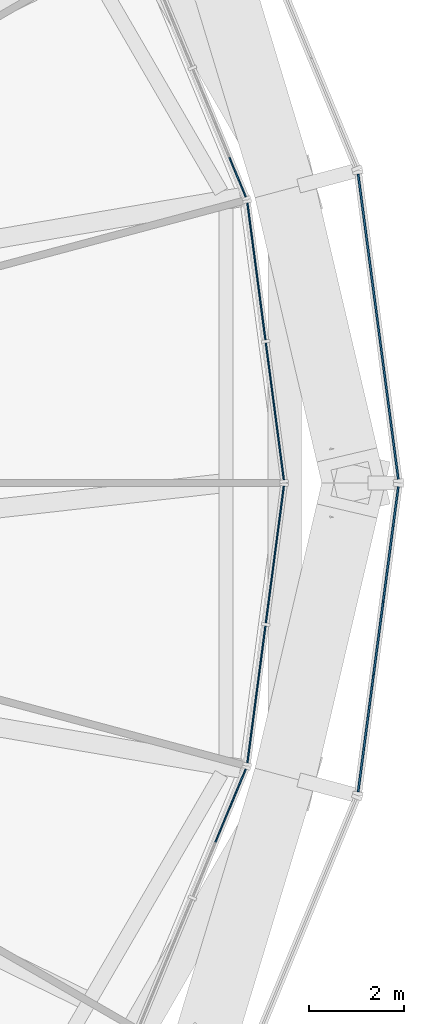
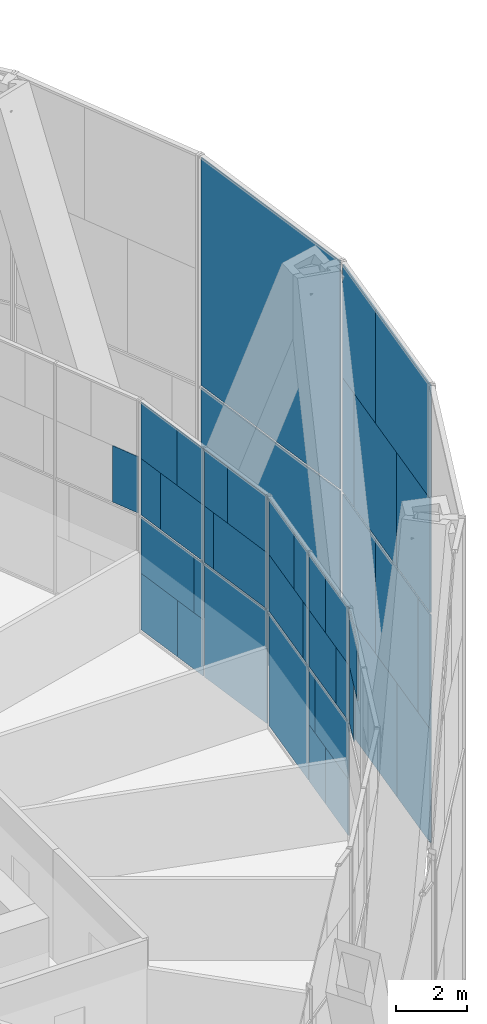
# One storey, part 15 of 22: 41 plates, 6 elements without a shape of their own.
"""IFC4 building model written with IfcOpenShell, lengths in metres."""

from ifc_helpers import new_model, si_unit, direction, frame, origin, origin_2d, place, context, subcontext, project, spatial, rectangle, extrude, material, layer, layer_set, type_object, element, aggregate, save


model = new_model("IFC4")

# Units and contexts
model_context = context("Model", 3, precision=1e-05, world=origin(), true_north=direction((0.0, 1.0)))
body_context = subcontext(model_context, "Body", "Model", "MODEL_VIEW")
ifc_project = project(units=[si_unit("LENGTHUNIT", "METRE"), si_unit("AREAUNIT", "SQUARE_METRE"), si_unit("VOLUMEUNIT", "CUBIC_METRE"), si_unit("PLANEANGLEUNIT", "RADIAN"), si_unit("MASSUNIT", "GRAM", prefix="KILO")], contexts=[model_context])

# Site, building, storey
site_placement = place(None, origin())
site = spatial("IfcSite", under=ifc_project, at=site_placement, CompositionType="ELEMENT")
building_placement = place(site_placement, origin())
building = spatial("IfcBuilding", under=site, at=building_placement, Name="Golbaran Civic Tower", CompositionType="ELEMENT")
storey_placement = place(building_placement, frame((0.0, 0.0, 37.0)))
storey = spatial("IfcBuildingStorey", under=building, at=storey_placement, Name="L08", CompositionType="ELEMENT", Elevation=37.0)

# Curtain wall, plates
ifc_material_1 = material(Name="Aluminium and glass", Category="aluminium")
curtain_wall_type_1 = type_object("IfcCurtainWallType", Name="INNER SKIN CURTAIN WALL", PredefinedType="NOTDEFINED", material=ifc_material_1)
curtain_wall_1_placement = place(storey_placement, origin())
curtain_wall_1 = element("IfcCurtainWall", 1, at=curtain_wall_1_placement, inside=storey, type_object=curtain_wall_type_1, Name="Inner skin L08 facet 1 CW1", ObjectType="INNER SKIN", PredefinedType="USERDEFINED")
ifc_material_2 = material(Name="Clear insulating glass", Category="glass")
ifc_layer_1 = layer(ifc_material_2, 0.031982421875, Name="Clear insulating glass")
ifc_layer_set_1 = layer_set([ifc_layer_1], Name="Clear insulating glass")
plate_type_1 = type_object("IfcPlateType", Name="INNER SKIN CURTAIN WALL GLAZED PANEL", PredefinedType="CURTAIN_PANEL", material=ifc_layer_set_1)
plate_1_placement = place(storey_placement, frame((22.76318359375, 1.501708984375, 0.06494140625), z_axis=(0.0, 0.0, 1.0), x_axis=(-0.130526192289, 0.991444861365, 0.0)))
plate_1 = element("IfcPlate", 2, at=plate_1_placement, type_object=plate_type_1, Name="CW1 panel 1.1", PredefinedType="CURTAIN_PANEL", context=body_context, shape_type="SweptSolid", body=[
    extrude(rectangle(XDim=2.8994140625, YDim=0.031982421875, at=origin_2d()), origin(), (0.0, 0.0, 1.0), 3.902587890625),
])
plate_2_placement = place(storey_placement, frame((22.78955078125, 1.302734375, 4.032470703125), z_axis=(0.0, 0.0, 1.0), x_axis=(-0.130526192289, 0.991444861365, 0.0)))
plate_2 = element("IfcPlate", 3, at=plate_2_placement, type_object=plate_type_1, Name="CW1 panel 1.2 part 1", PredefinedType="CURTAIN_PANEL", context=body_context, shape_type="SweptSolid", body=[
    extrude(rectangle(XDim=2.498046875, YDim=0.031982421875, at=origin_2d()), origin(), (0.0, 0.0, 1.0), 1.951171875),
])
plate_3_placement = place(storey_placement, frame((22.83251953125, 0.97509765625, 5.98388671875), z_axis=(0.0, 0.0, 1.0), x_axis=(-0.130526192289, 0.991444861365, 0.0)))
plate_3 = element("IfcPlate", 4, at=plate_3_placement, type_object=plate_type_1, Name="CW1 panel 1.2 part 3", PredefinedType="CURTAIN_PANEL", context=body_context, shape_type="SweptSolid", body=[
    extrude(rectangle(XDim=1.8369140625, YDim=0.031982421875, at=origin_2d()), origin(), (0.0, 0.0, 1.0), 1.951171875),
])
plate_4_placement = place(storey_placement, frame((22.4873046875, 3.598388671875, 0.06494140625), z_axis=(0.0, 0.0, 1.0), x_axis=(-0.130526192289, 0.991444861365, 0.0)))
plate_4 = element("IfcPlate", 5, at=plate_4_placement, type_object=plate_type_1, Name="CW1 panel 2.1 part 1", PredefinedType="CURTAIN_PANEL", context=body_context, shape_type="SweptSolid", body=[
    extrude(rectangle(XDim=1.199951171875, YDim=0.031982421875, at=origin_2d()), origin(), (0.0, 0.0, 1.0), 1.951171875),
])
plate_5_placement = place(storey_placement, frame((22.537353515625, 3.2177734375, 2.016357421875), z_axis=(0.0, 0.0, 1.0), x_axis=(-0.130526192289, 0.991444861365, 0.0)))
plate_5 = element("IfcPlate", 6, at=plate_5_placement, type_object=plate_type_1, Name="CW1 panel 2.1 part 3", PredefinedType="CURTAIN_PANEL", context=body_context, shape_type="SweptSolid", body=[
    extrude(rectangle(XDim=0.431884765625, YDim=0.031982421875, at=origin_2d()), origin(), (0.0, 0.0, 1.0), 1.951171875),
])
plate_6_placement = place(storey_placement, frame((22.245849609375, 5.432373046875, 4.032470703125), z_axis=(0.0, 0.0, 1.0), x_axis=(-0.130526192289, 0.991444861365, 0.0)))
plate_6 = element("IfcPlate", 7, at=plate_6_placement, type_object=plate_type_1, Name="CW1 panel 2.2 part 2", PredefinedType="CURTAIN_PANEL", context=body_context, shape_type="SweptSolid", body=[
    extrude(rectangle(XDim=0.8994140625, YDim=0.031982421875, at=origin_2d()), origin(), (0.0, 0.0, 1.0), 1.951171875),
])
plate_7_placement = place(storey_placement, frame((22.29638671875, 5.048095703125, 5.98388671875), z_axis=(0.0, 0.0, 1.0), x_axis=(-0.130526192289, 0.991444861365, 0.0)))
plate_7 = element("IfcPlate", 8, at=plate_7_placement, type_object=plate_type_1, Name="CW1 panel 2.2 part 4", PredefinedType="CURTAIN_PANEL", context=body_context, shape_type="SweptSolid", body=[
    extrude(rectangle(XDim=1.674560546875, YDim=0.031982421875, at=origin_2d()), origin(), (0.0, 0.0, 1.0), 1.951171875),
])

# Curtain wall, plate
curtain_wall_2_placement = place(storey_placement, origin())
curtain_wall_2 = element("IfcCurtainWall", 9, at=curtain_wall_2_placement, inside=storey, type_object=curtain_wall_type_1, Name="Inner skin L08 facet 2 CW1", ObjectType="INNER SKIN", PredefinedType="USERDEFINED")
plate_8_placement = place(storey_placement, frame((21.9814453125, 6.41845703125, 4.032470703125), z_axis=(0.0, 0.0, 1.0), x_axis=(-0.382683432365, 0.923879532511, 0.0)))
plate_8 = element("IfcPlate", 10, at=plate_8_placement, type_object=plate_type_1, Name="CW1 panel 1.2 part 1", PredefinedType="CURTAIN_PANEL", context=body_context, shape_type="SweptSolid", body=[
    extrude(rectangle(XDim=0.89990234375, YDim=0.031982421875, at=origin_2d()), origin(), (0.0, 0.0, 1.0), 1.951171875),
])
aggregate(curtain_wall_2, [plate_8])

# Curtain wall, plates
curtain_wall_3_placement = place(storey_placement, origin())
curtain_wall_3 = element("IfcCurtainWall", 11, at=curtain_wall_3_placement, inside=storey, type_object=curtain_wall_type_1, Name="Inner skin L08 facet 23 CW1", ObjectType="INNER SKIN", PredefinedType="USERDEFINED")
plate_9_placement = place(storey_placement, frame((21.981689453125, -6.418212890625, 4.032470703125), z_axis=(0.0, 0.0, 1.0), x_axis=(0.382683432365, 0.923879532511, 0.0)))
plate_9 = element("IfcPlate", 12, at=plate_9_placement, type_object=plate_type_1, Name="CW1 panel 2.2 part 2", PredefinedType="CURTAIN_PANEL", context=body_context, shape_type="SweptSolid", body=[
    extrude(rectangle(XDim=0.8994140625, YDim=0.031982421875, at=origin_2d()), origin(), (0.0, 0.0, 1.0), 1.951171875),
])
plate_10_placement = place(storey_placement, frame((21.833251953125, -6.7763671875, 5.98388671875), z_axis=(0.0, 0.0, 1.0), x_axis=(0.382683432365, 0.923879532511, 0.0)))
plate_10 = element("IfcPlate", 13, at=plate_10_placement, type_object=plate_type_1, Name="CW1 panel 2.2 part 4", PredefinedType="CURTAIN_PANEL", context=body_context, shape_type="SweptSolid", body=[
    extrude(rectangle(XDim=1.674560546875, YDim=0.031982421875, at=origin_2d()), origin(), (0.0, 0.0, 1.0), 1.951171875),
])
aggregate(curtain_wall_3, [plate_9, plate_10])

curtain_wall_4_placement = place(storey_placement, origin())
curtain_wall_4 = element("IfcCurtainWall", 14, at=curtain_wall_4_placement, inside=storey, type_object=curtain_wall_type_1, Name="Inner skin L08 facet 24 CW1", ObjectType="INNER SKIN", PredefinedType="USERDEFINED")
plate_11_placement = place(storey_placement, frame((22.4873046875, -3.59814453125, 0.06494140625), z_axis=(0.0, 0.0, 1.0), x_axis=(0.130526192289, 0.991444861365, 0.0)))
plate_11 = element("IfcPlate", 15, at=plate_11_placement, type_object=plate_type_1, Name="CW1 panel 1.1 part 2", PredefinedType="CURTAIN_PANEL", context=body_context, shape_type="SweptSolid", body=[
    extrude(rectangle(XDim=1.199462890625, YDim=0.031982421875, at=origin_2d()), origin(), (0.0, 0.0, 1.0), 1.951171875),
])
plate_12_placement = place(storey_placement, frame((22.537353515625, -3.218017578125, 2.016357421875), z_axis=(0.0, 0.0, 1.0), x_axis=(0.130526192289, 0.991444861365, 0.0)))
plate_12 = element("IfcPlate", 16, at=plate_12_placement, type_object=plate_type_1, Name="CW1 panel 1.1 part 4", PredefinedType="CURTAIN_PANEL", context=body_context, shape_type="SweptSolid", body=[
    extrude(rectangle(XDim=0.4326171875, YDim=0.031982421875, at=origin_2d()), origin(), (0.0, 0.0, 1.0), 1.951171875),
])
plate_13_placement = place(storey_placement, frame((22.245849609375, -5.43212890625, 4.032470703125), z_axis=(0.0, 0.0, 1.0), x_axis=(0.130526192289, 0.991444861365, 0.0)))
plate_13 = element("IfcPlate", 17, at=plate_13_placement, type_object=plate_type_1, Name="CW1 panel 1.2 part 1", PredefinedType="CURTAIN_PANEL", context=body_context, shape_type="SweptSolid", body=[
    extrude(rectangle(XDim=0.89990234375, YDim=0.031982421875, at=origin_2d()), origin(), (0.0, 0.0, 1.0), 1.951171875),
])
plate_14_placement = place(storey_placement, frame((22.29638671875, -5.0478515625, 5.98388671875), z_axis=(0.0, 0.0, 1.0), x_axis=(0.130526192289, 0.991444861365, 0.0)))
plate_14 = element("IfcPlate", 18, at=plate_14_placement, type_object=plate_type_1, Name="CW1 panel 1.2 part 3", PredefinedType="CURTAIN_PANEL", context=body_context, shape_type="SweptSolid", body=[
    extrude(rectangle(XDim=1.675048828125, YDim=0.031982421875, at=origin_2d()), origin(), (0.0, 0.0, 1.0), 1.951171875),
])
plate_15_placement = place(storey_placement, frame((22.76318359375, -1.501708984375, 0.06494140625), z_axis=(0.0, 0.0, 1.0), x_axis=(0.130526192289, 0.991444861365, 0.0)))
plate_15 = element("IfcPlate", 19, at=plate_15_placement, type_object=plate_type_1, Name="CW1 panel 2.1", PredefinedType="CURTAIN_PANEL", context=body_context, shape_type="SweptSolid", body=[
    extrude(rectangle(XDim=2.8994140625, YDim=0.031982421875, at=origin_2d()), origin(), (0.0, 0.0, 1.0), 3.902587890625),
])
plate_16_placement = place(storey_placement, frame((22.78955078125, -1.302978515625, 4.032470703125), z_axis=(0.0, 0.0, 1.0), x_axis=(0.130526192289, 0.991444861365, 0.0)))
plate_16 = element("IfcPlate", 20, at=plate_16_placement, type_object=plate_type_1, Name="CW1 panel 2.2 part 2", PredefinedType="CURTAIN_PANEL", context=body_context, shape_type="SweptSolid", body=[
    extrude(rectangle(XDim=2.49853515625, YDim=0.031982421875, at=origin_2d()), origin(), (0.0, 0.0, 1.0), 1.951171875),
])
plate_17_placement = place(storey_placement, frame((22.832763671875, -0.974853515625, 5.98388671875), z_axis=(0.0, 0.0, 1.0), x_axis=(0.130526192289, 0.991444861365, 0.0)))
plate_17 = element("IfcPlate", 21, at=plate_17_placement, type_object=plate_type_1, Name="CW1 panel 2.2 part 4", PredefinedType="CURTAIN_PANEL", context=body_context, shape_type="SweptSolid", body=[
    extrude(rectangle(XDim=1.83642578125, YDim=0.031982421875, at=origin_2d()), origin(), (0.0, 0.0, 1.0), 1.951171875),
])

# Plate
ifc_material_3 = material(Name="Aluminium faced opaque infill panel", Category="aluminium")
ifc_layer_2 = layer(ifc_material_3, 0.031982421875, Name="Aluminium faced opaque infill panel")
ifc_layer_set_2 = layer_set([ifc_layer_2], Name="Aluminium faced opaque infill panel")
plate_type_2 = type_object("IfcPlateType", Name="INNER SKIN CURTAIN WALL OPAQUE INFILL PANEL", PredefinedType="CURTAIN_PANEL", material=ifc_layer_set_2)
plate_18_placement = place(storey_placement, frame((22.600341796875, 2.739990234375, 4.032470703125), z_axis=(0.0, 0.0, 1.0), x_axis=(-0.130526192289, 0.991444861365, 0.0)))
plate_18 = element("IfcPlate", 22, at=plate_18_placement, type_object=plate_type_2, Name="CW1 infill panel 1.2 part 2", PredefinedType="CURTAIN_PANEL", context=body_context, shape_type="SweptSolid", body=[
    extrude(rectangle(XDim=0.401611328125, YDim=0.031982421875, at=origin_2d()), origin(), (0.0, 0.0, 1.0), 1.951171875),
])

plate_19_placement = place(storey_placement, frame((22.643310546875, 2.412353515625, 5.98388671875), z_axis=(0.0, 0.0, 1.0), x_axis=(-0.130526192289, 0.991444861365, 0.0)))
plate_19 = element("IfcPlate", 23, at=plate_19_placement, type_object=plate_type_2, Name="CW1 infill panel 1.2 part 4", PredefinedType="CURTAIN_PANEL", context=body_context, shape_type="SweptSolid", body=[
    extrude(rectangle(XDim=1.0625, YDim=0.031982421875, at=origin_2d()), origin(), (0.0, 0.0, 1.0), 1.951171875),
])

plate_20_placement = place(storey_placement, frame((22.298095703125, 5.035888671875, 0.06494140625), z_axis=(0.0, 0.0, 1.0), x_axis=(-0.130526192289, 0.991444861365, 0.0)))
plate_20 = element("IfcPlate", 24, at=plate_20_placement, type_object=plate_type_2, Name="CW1 infill panel 2.1 part 2", PredefinedType="CURTAIN_PANEL", context=body_context, shape_type="SweptSolid", body=[
    extrude(rectangle(XDim=1.699462890625, YDim=0.031982421875, at=origin_2d()), origin(), (0.0, 0.0, 1.0), 1.951171875),
])

plate_21_placement = place(storey_placement, frame((22.34814453125, 4.655029296875, 2.016357421875), z_axis=(0.0, 0.0, 1.0), x_axis=(-0.130526192289, 0.991444861365, 0.0)))
plate_21 = element("IfcPlate", 25, at=plate_21_placement, type_object=plate_type_2, Name="CW1 infill panel 2.1 part 4", PredefinedType="CURTAIN_PANEL", context=body_context, shape_type="SweptSolid", body=[
    extrude(rectangle(XDim=2.467529296875, YDim=0.031982421875, at=origin_2d()), origin(), (0.0, 0.0, 1.0), 1.951171875),
])

plate_22_placement = place(storey_placement, frame((22.43505859375, 3.9951171875, 4.032470703125), z_axis=(0.0, 0.0, 1.0), x_axis=(-0.130526192289, 0.991444861365, 0.0)))
plate_22 = element("IfcPlate", 26, at=plate_22_placement, type_object=plate_type_2, Name="CW1 infill panel 2.2 part 1", PredefinedType="CURTAIN_PANEL", context=body_context, shape_type="SweptSolid", body=[
    extrude(rectangle(XDim=2.0, YDim=0.031982421875, at=origin_2d()), origin(), (0.0, 0.0, 1.0), 1.951171875),
])

plate_23_placement = place(storey_placement, frame((22.485595703125, 3.61083984375, 5.98388671875), z_axis=(0.0, 0.0, 1.0), x_axis=(-0.130526192289, 0.991444861365, 0.0)))
plate_23 = element("IfcPlate", 27, at=plate_23_placement, type_object=plate_type_2, Name="CW1 infill panel 2.2 part 3", PredefinedType="CURTAIN_PANEL", context=body_context, shape_type="SweptSolid", body=[
    extrude(rectangle(XDim=1.22509765625, YDim=0.031982421875, at=origin_2d()), origin(), (0.0, 0.0, 1.0), 1.951171875),
])

aggregate(curtain_wall_1, [plate_1, plate_2, plate_18, plate_3, plate_19, plate_4, plate_20, plate_5, plate_21, plate_22, plate_6, plate_23, plate_7])

plate_24_placement = place(storey_placement, frame((22.298095703125, -5.03564453125, 0.06494140625), z_axis=(0.0, 0.0, 1.0), x_axis=(0.130526192289, 0.991444861365, 0.0)))
plate_24 = element("IfcPlate", 28, at=plate_24_placement, type_object=plate_type_2, Name="CW1 infill panel 1.1 part 1", PredefinedType="CURTAIN_PANEL", context=body_context, shape_type="SweptSolid", body=[
    extrude(rectangle(XDim=1.699951171875, YDim=0.031982421875, at=origin_2d()), origin(), (0.0, 0.0, 1.0), 1.951171875),
])

plate_25_placement = place(storey_placement, frame((22.34814453125, -4.6552734375, 2.016357421875), z_axis=(0.0, 0.0, 1.0), x_axis=(0.130526192289, 0.991444861365, 0.0)))
plate_25 = element("IfcPlate", 29, at=plate_25_placement, type_object=plate_type_2, Name="CW1 infill panel 1.1 part 3", PredefinedType="CURTAIN_PANEL", context=body_context, shape_type="SweptSolid", body=[
    extrude(rectangle(XDim=2.467041015625, YDim=0.031982421875, at=origin_2d()), origin(), (0.0, 0.0, 1.0), 1.951171875),
])

plate_26_placement = place(storey_placement, frame((22.43505859375, -3.994873046875, 4.032470703125), z_axis=(0.0, 0.0, 1.0), x_axis=(0.130526192289, 0.991444861365, 0.0)))
plate_26 = element("IfcPlate", 30, at=plate_26_placement, type_object=plate_type_2, Name="CW1 infill panel 1.2 part 2", PredefinedType="CURTAIN_PANEL", context=body_context, shape_type="SweptSolid", body=[
    extrude(rectangle(XDim=1.99951171875, YDim=0.031982421875, at=origin_2d()), origin(), (0.0, 0.0, 1.0), 1.951171875),
])

plate_27_placement = place(storey_placement, frame((22.485595703125, -3.610595703125, 5.98388671875), z_axis=(0.0, 0.0, 1.0), x_axis=(0.130526192289, 0.991444861365, 0.0)))
plate_27 = element("IfcPlate", 31, at=plate_27_placement, type_object=plate_type_2, Name="CW1 infill panel 1.2 part 4", PredefinedType="CURTAIN_PANEL", context=body_context, shape_type="SweptSolid", body=[
    extrude(rectangle(XDim=1.224609375, YDim=0.031982421875, at=origin_2d()), origin(), (0.0, 0.0, 1.0), 1.951171875),
])

plate_28_placement = place(storey_placement, frame((22.600341796875, -2.740478515625, 4.032470703125), z_axis=(0.0, 0.0, 1.0), x_axis=(0.130526192289, 0.991444861365, 0.0)))
plate_28 = element("IfcPlate", 32, at=plate_28_placement, type_object=plate_type_2, Name="CW1 infill panel 2.2 part 1", PredefinedType="CURTAIN_PANEL", context=body_context, shape_type="SweptSolid", body=[
    extrude(rectangle(XDim=0.40087890625, YDim=0.031982421875, at=origin_2d()), origin(), (0.0, 0.0, 1.0), 1.951171875),
])

plate_29_placement = place(storey_placement, frame((22.643310546875, -2.412109375, 5.98388671875), z_axis=(0.0, 0.0, 1.0), x_axis=(0.130526192289, 0.991444861365, 0.0)))
plate_29 = element("IfcPlate", 33, at=plate_29_placement, type_object=plate_type_2, Name="CW1 infill panel 2.2 part 3", PredefinedType="CURTAIN_PANEL", context=body_context, shape_type="SweptSolid", body=[
    extrude(rectangle(XDim=1.06298828125, YDim=0.031982421875, at=origin_2d()), origin(), (0.0, 0.0, 1.0), 1.951171875),
])

aggregate(curtain_wall_4, [plate_24, plate_11, plate_25, plate_12, plate_13, plate_26, plate_14, plate_27, plate_15, plate_28, plate_16, plate_29, plate_17])

# Curtain wall, plates
curtain_wall_type_2 = type_object("IfcCurtainWallType", Name="OUTER SKIN TERRACOTTA SCREEN", PredefinedType="NOTDEFINED", material=ifc_material_1)
curtain_wall_5_placement = place(storey_placement, origin())
curtain_wall_5 = element("IfcCurtainWall", 34, at=curtain_wall_5_placement, inside=storey, type_object=curtain_wall_type_2, Name="Outer skin L08 facet 24 CW3", ObjectType="OUTER SKIN", PredefinedType="USERDEFINED")
ifc_material_4 = material(Name="Clear laminated glass", Category="glass")
ifc_layer_3 = layer(ifc_material_4, 0.0400390625, Name="Clear laminated glass")
ifc_layer_set_3 = layer_set([ifc_layer_3], Name="Clear laminated glass")
plate_type_3 = type_object("IfcPlateType", Name="OUTER SKIN CLEAR GLASS PANEL", PredefinedType="CURTAIN_PANEL", material=ifc_layer_set_3)
plate_30_placement = place(storey_placement, frame((25.09423828125, -2.063720703125, -0.6298828125), z_axis=(0.0, 0.0, 1.0), x_axis=(0.130526192168, 0.991444861381, 0.0)))
plate_30 = element("IfcPlate", 35, at=plate_30_placement, type_object=plate_type_3, Name="CW3 panel 1.1 part 2", PredefinedType="CURTAIN_PANEL", context=body_context, shape_type="SweptSolid", body=[
    extrude(rectangle(XDim=4.0029296875, YDim=0.0400390625, at=origin_2d()), origin(), (0.0, 0.0, 1.0), 3.93994140625),
])
plate_31_placement = place(storey_placement, frame((24.5712890625, -6.036376953125, 3.31005859375), z_axis=(0.0, 0.0, 1.0), x_axis=(0.130526192168, 0.991444861381, 0.0)))
plate_31 = element("IfcPlate", 36, at=plate_31_placement, type_object=plate_type_3, Name="CW3 panel 1.1 part 3", PredefinedType="CURTAIN_PANEL", context=body_context, shape_type="SweptSolid", body=[
    extrude(rectangle(XDim=0.906982421875, YDim=0.0400390625, at=origin_2d()), origin(), (0.0, 0.0, 1.0), 3.93994140625),
])
plate_32_placement = place(storey_placement, frame((25.1962890625, -1.288330078125, 3.31005859375), z_axis=(0.0, 0.0, 1.0), x_axis=(0.130526192168, 0.991444861381, 0.0)))
plate_32 = element("IfcPlate", 37, at=plate_32_placement, type_object=plate_type_3, Name="CW3 panel 1.1 part 5", PredefinedType="CURTAIN_PANEL", context=body_context, shape_type="SweptSolid", body=[
    extrude(rectangle(XDim=2.43896484375, YDim=0.0400390625, at=origin_2d()), origin(), (0.0, 0.0, 1.0), 3.93994140625),
])
plate_33_placement = place(storey_placement, frame((24.674560546875, -5.25244140625, 7.330078125), z_axis=(0.0, 0.0, 1.0), x_axis=(0.130526192168, 0.991444861381, 0.0)))
plate_33 = element("IfcPlate", 38, at=plate_33_placement, type_object=plate_type_3, Name="CW3 panel 1.2 part 1", PredefinedType="CURTAIN_PANEL", context=body_context, shape_type="SweptSolid", body=[
    extrude(rectangle(XDim=2.488037109375, YDim=0.0400390625, at=origin_2d()), origin(), (0.0, 0.0, 1.0), 3.93994140625),
])
plate_34_placement = place(storey_placement, frame((25.300537109375, -0.49658203125, 7.330078125), z_axis=(0.0, 0.0, 1.0), x_axis=(0.130526192168, 0.991444861381, 0.0)))
plate_34 = element("IfcPlate", 39, at=plate_34_placement, type_object=plate_type_3, Name="CW3 panel 1.2 part 3", PredefinedType="CURTAIN_PANEL", context=body_context, shape_type="SweptSolid", body=[
    extrude(rectangle(XDim=0.841796875, YDim=0.0400390625, at=origin_2d()), origin(), (0.0, 0.0, 1.0), 3.93994140625),
])
plate_35_placement = place(storey_placement, frame((24.775634765625, -4.484619140625, 11.27001953125), z_axis=(0.0, 0.0, 1.0), x_axis=(0.130526192168, 0.991444861381, 0.0)))
plate_35 = element("IfcPlate", 40, at=plate_35_placement, type_object=plate_type_3, Name="CW3 panel 1.2 part 4", PredefinedType="CURTAIN_PANEL", context=body_context, shape_type="SweptSolid", body=[
    extrude(rectangle(XDim=4.037109375, YDim=0.0400390625, at=origin_2d()), origin(), (0.0, 0.0, 1.0), 3.93994140625),
])
ifc_material_5 = material(Name="Terracotta baguette screen", Category="masonry")
ifc_layer_4 = layer(ifc_material_5, 0.0400390625, Name="Terracotta baguette screen")
ifc_layer_set_4 = layer_set([ifc_layer_4], Name="Terracotta baguette screen")
plate_type_4 = type_object("IfcPlateType", Name="OUTER SKIN TERRACOTTA INFILL PANEL", PredefinedType="CURTAIN_PANEL", material=ifc_layer_set_4)
plate_36_placement = place(storey_placement, frame((24.672607421875, -5.266845703125, -0.6298828125), z_axis=(0.0, 0.0, 1.0), x_axis=(0.130526192168, 0.991444861381, 0.0)))
plate_36 = element("IfcPlate", 41, at=plate_36_placement, type_object=plate_type_4, Name="CW3 infill panel 1.1 part 1", PredefinedType="CURTAIN_PANEL", context=body_context, shape_type="SweptSolid", body=[
    extrude(rectangle(XDim=2.458984375, YDim=0.0400390625, at=origin_2d()), origin(), (0.0, 0.0, 1.0), 3.93994140625),
])
plate_37_placement = place(storey_placement, frame((24.833984375, -4.0419921875, 3.31005859375), z_axis=(0.0, 0.0, 1.0), x_axis=(0.130526192168, 0.991444861381, 0.0)))
plate_37 = element("IfcPlate", 42, at=plate_37_placement, type_object=plate_type_4, Name="CW3 infill panel 1.1 part 4", PredefinedType="CURTAIN_PANEL", context=body_context, shape_type="SweptSolid", body=[
    extrude(rectangle(XDim=3.115966796875, YDim=0.0400390625, at=origin_2d()), origin(), (0.0, 0.0, 1.0), 3.93994140625),
])
plate_38_placement = place(storey_placement, frame((25.041259765625, -2.466552734375, 7.330078125), z_axis=(0.0, 0.0, 1.0), x_axis=(0.130526192168, 0.991444861381, 0.0)))
plate_38 = element("IfcPlate", 43, at=plate_38_placement, type_object=plate_type_4, Name="CW3 infill panel 1.2 part 2", PredefinedType="CURTAIN_PANEL", context=body_context, shape_type="SweptSolid", body=[
    extrude(rectangle(XDim=3.132080078125, YDim=0.0400390625, at=origin_2d()), origin(), (0.0, 0.0, 1.0), 3.93994140625),
])
plate_39_placement = place(storey_placement, frame((25.197265625, -1.28125, 11.27001953125), z_axis=(0.0, 0.0, 1.0), x_axis=(0.130526192168, 0.991444861381, 0.0)))
plate_39 = element("IfcPlate", 44, at=plate_39_placement, type_object=plate_type_4, Name="CW3 infill panel 1.2 part 5", PredefinedType="CURTAIN_PANEL", context=body_context, shape_type="SweptSolid", body=[
    extrude(rectangle(XDim=2.4248046875, YDim=0.0400390625, at=origin_2d()), origin(), (0.0, 0.0, 1.0), 3.93994140625),
])
aggregate(curtain_wall_5, [plate_36, plate_30, plate_31, plate_37, plate_32, plate_33, plate_38, plate_34, plate_35, plate_39])

curtain_wall_6_placement = place(storey_placement, origin())
curtain_wall_6 = element("IfcCurtainWall", 45, at=curtain_wall_6_placement, inside=storey, type_object=curtain_wall_type_2, Name="Outer skin L08 facet 1 CW3", ObjectType="OUTER SKIN", PredefinedType="USERDEFINED")
ifc_layer_5 = layer(ifc_material_5, 0.0400390625, Name="Terracotta baguette screen")
ifc_layer_set_5 = layer_set([ifc_layer_5], Name="Terracotta baguette screen")
plate_type_5 = type_object("IfcPlateType", Name="OUTER SKIN TERRACOTTA SCREEN PANEL", PredefinedType="CURTAIN_PANEL", material=ifc_layer_set_5)
plate_40_placement = place(storey_placement, frame((24.933837890625, 3.28271484375, -0.6298828125), z_axis=(0.0, 0.0, 1.0), x_axis=(-0.130526192168, 0.991444861381, 0.0)))
plate_40 = element("IfcPlate", 46, at=plate_40_placement, type_object=plate_type_5, Name="CW3 terracotta screen panel 1.1", PredefinedType="CURTAIN_PANEL", context=body_context, shape_type="SweptSolid", body=[
    extrude(rectangle(XDim=6.4619140625, YDim=0.0400390625, at=origin_2d()), origin(), (0.0, 0.0, 1.0), 7.8798828125),
])
plate_41_placement = place(storey_placement, frame((24.933837890625, 3.28271484375, 7.330078125), z_axis=(0.0, 0.0, 1.0), x_axis=(-0.130526192168, 0.991444861381, 0.0)))
plate_41 = element("IfcPlate", 47, at=plate_41_placement, type_object=plate_type_5, Name="CW3 terracotta screen panel 1.2", PredefinedType="CURTAIN_PANEL", context=body_context, shape_type="SweptSolid", body=[
    extrude(rectangle(XDim=6.4619140625, YDim=0.0400390625, at=origin_2d()), origin(), (0.0, 0.0, 1.0), 7.8798828125),
])
aggregate(curtain_wall_6, [plate_40, plate_41])

save(model, "model.ifc")
